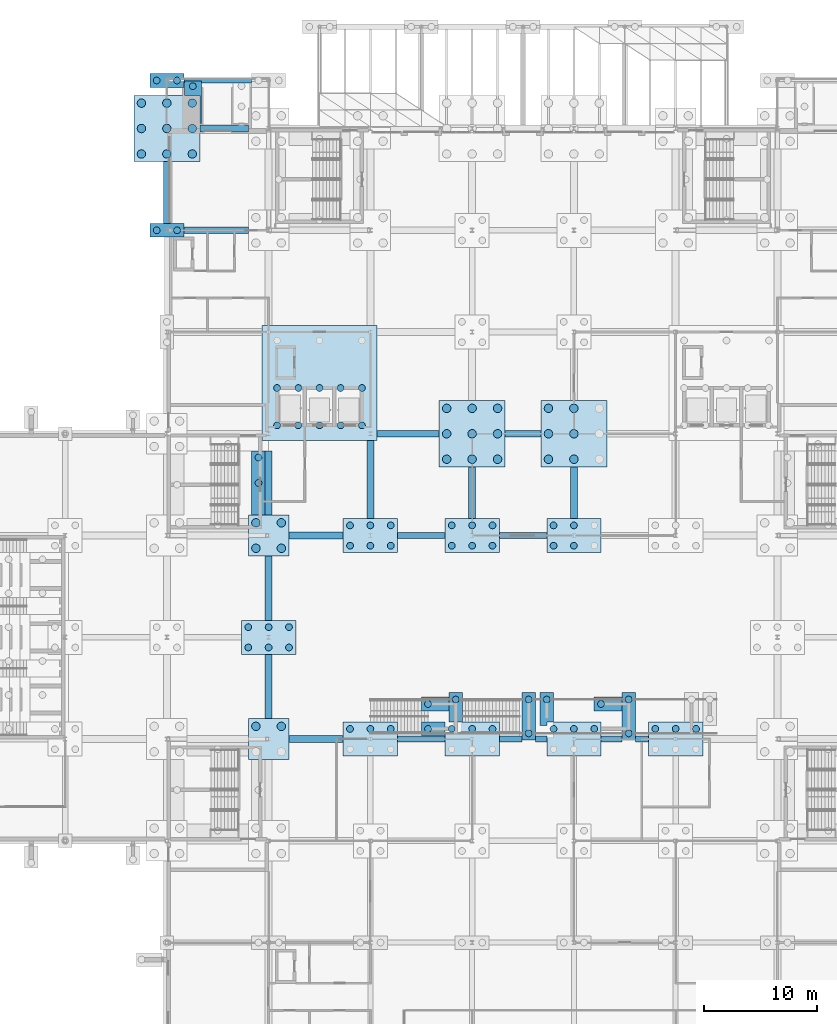
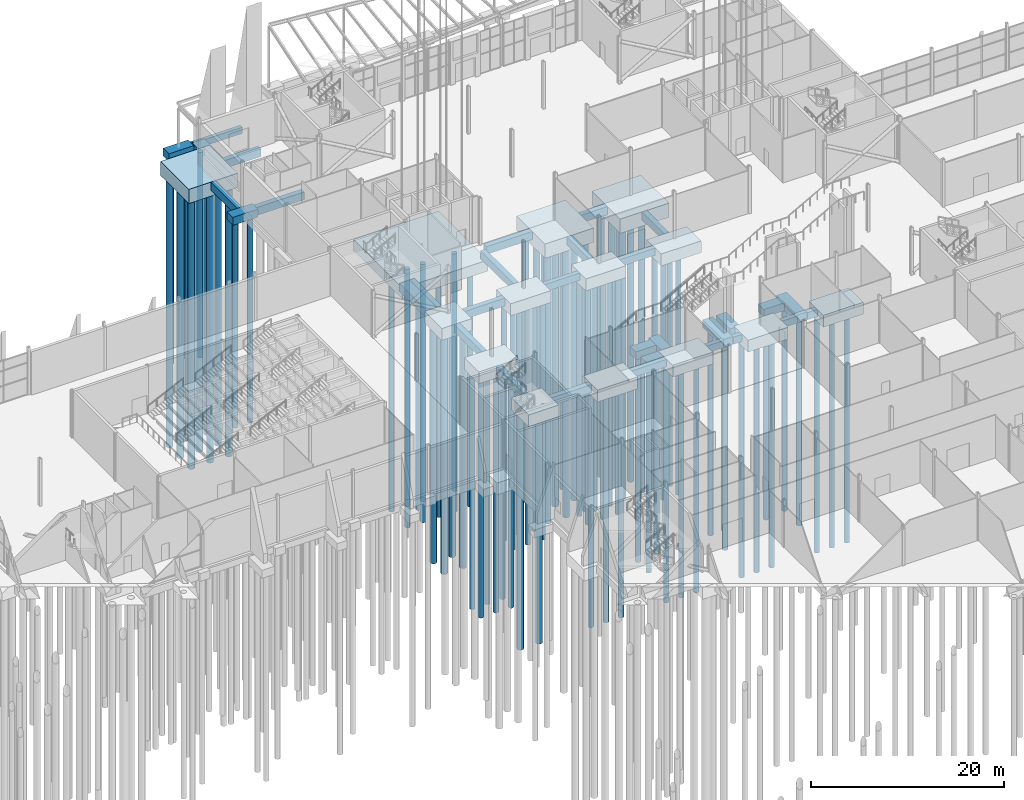
# One storey, part 6 of 139: 90 piles, 46 footings.
"""IFC4 building model written with IfcOpenShell, lengths in metres."""

from ifc_helpers import new_model, si_unit, direction, frame, origin, origin_2d, place, context, subcontext, project, spatial, polyline, rectangle, circle, outline, extrude, material, material_profile, profile_set, type_object, element, save


model = new_model("IFC4")

# Units and contexts
model_context = context("Model", 3, precision=1e-05, world=origin(), true_north=direction((0.0, 1.0)))
body_context = subcontext(model_context, "Body", "Model", "MODEL_VIEW")
ifc_project = project(units=[si_unit("LENGTHUNIT", "METRE"), si_unit("AREAUNIT", "SQUARE_METRE"), si_unit("VOLUMEUNIT", "CUBIC_METRE"), si_unit("PLANEANGLEUNIT", "RADIAN"), si_unit("MASSUNIT", "GRAM", prefix="KILO")], contexts=[model_context])

# Site, building, storey
site_placement = place(None, origin())
site = spatial("IfcSite", under=ifc_project, at=site_placement, CompositionType="ELEMENT")
building_placement = place(site_placement, origin())
building = spatial("IfcBuilding", under=site, at=building_placement, Name="Shorebreak Coast Museum", CompositionType="ELEMENT")
storey_placement = place(building_placement, origin())
storey = spatial("IfcBuildingStorey", under=building, at=storey_placement, Name="L00", CompositionType="ELEMENT", Elevation=0.0)

# Footings
ifc_material_1 = material(Name="Concrete N50 (50 MPa)", Category="concrete")
footing_type_1 = type_object("IfcFootingType", Name="Footing ground beam 450x800", PredefinedType="FOOTING_BEAM", material=ifc_material_1)
footing_1_placement = place(storey_placement, frame((58.5, 121.25, -1.10009765625), z_axis=(0.0, 0.0, 1.0), x_axis=(1.0, 0.0, 0.0)))
element("IfcFooting", 1, at=footing_1_placement, inside=storey, type_object=footing_type_1, Name="Ground beam arcade north 1 to 2", PredefinedType="FOOTING_BEAM", context=body_context, shape_type="SweptSolid", body=[
    extrude(rectangle(XDim=6.0, YDim=0.449951171875, at=origin_2d()), origin(), (0.0, 0.0, 1.0), 0.800048828125),
])
ifc_material_2 = material(Name="Concrete N50 (50 MPa)", Category="concrete")
footing_type_2 = type_object("IfcFootingType", Name="Footing ground beam 500x900", PredefinedType="FOOTING_BEAM", material=ifc_material_2)
footing_2_placement = place(storey_placement, frame((76.5, 63.0, -1.199951171875), z_axis=(0.0, 0.0, 1.0), x_axis=(1.0, 0.0, 0.0)))
element("IfcFooting", 2, at=footing_2_placement, inside=storey, type_object=footing_type_2, Name="Ground beam 9H to 10H", PredefinedType="FOOTING_BEAM", context=body_context, shape_type="SweptSolid", body=[
    extrude(rectangle(XDim=4.199951171875, YDim=0.5, at=origin_2d()), origin(), (0.0, 0.0, 1.0), 0.89990234375),
])
footing_3_placement = place(storey_placement, frame((84.39990234375, 63.0, -1.199951171875), z_axis=(0.0, 0.0, 1.0), x_axis=(1.0, 0.0, 0.0)))
element("IfcFooting", 3, at=footing_3_placement, inside=storey, type_object=footing_type_2, Name="Ground beam 10H to 11H", PredefinedType="FOOTING_BEAM", context=body_context, shape_type="SweptSolid", body=[
    extrude(rectangle(XDim=2.0, YDim=0.5, at=origin_2d()), origin(), (0.0, 0.0, 1.0), 0.89990234375),
])
footing_4_placement = place(storey_placement, frame((87.10009765625, 63.0, -1.199951171875), z_axis=(0.0, 0.0, 1.0), x_axis=(1.0, 0.0, 0.0)))
element("IfcFooting", 4, at=footing_4_placement, inside=storey, type_object=footing_type_2, Name="Ground beam 10H to 11H", PredefinedType="FOOTING_BEAM", context=body_context, shape_type="SweptSolid", body=[
    extrude(rectangle(XDim=1.0, YDim=0.5, at=origin_2d()), origin(), (0.0, 0.0, 1.0), 0.89990234375),
])
footing_5_placement = place(storey_placement, frame((93.324951171875, 63.0, -1.199951171875), z_axis=(0.0, 0.0, 1.0), x_axis=(1.0, 0.0, 0.0)))
element("IfcFooting", 5, at=footing_5_placement, inside=storey, type_object=footing_type_2, Name="Ground beam 11H to 12H", PredefinedType="FOOTING_BEAM", context=body_context, shape_type="SweptSolid", body=[
    extrude(rectangle(XDim=1.85009765625, YDim=0.5, at=origin_2d()), origin(), (0.0, 0.0, 1.0), 0.89990234375),
])
footing_6_placement = place(storey_placement, frame((96.02490234375, 63.0, -1.199951171875), z_axis=(0.0, 0.0, 1.0), x_axis=(1.0, 0.0, 0.0)))
element("IfcFooting", 6, at=footing_6_placement, inside=storey, type_object=footing_type_2, Name="Ground beam 11H to 12H", PredefinedType="FOOTING_BEAM", context=body_context, shape_type="SweptSolid", body=[
    extrude(rectangle(XDim=1.14990234375, YDim=0.5, at=origin_2d()), origin(), (0.0, 0.0, 1.0), 0.89990234375),
])
for number, where, z_axis, x_axis, name in (
    (7, (76.5, 81.0, -1.199951171875), (0.0, 0.0, 1.0), (1.0, 0.0, 0.0), "Ground beam 9K to 10K"),
    (8, (85.5, 81.0, -1.199951171875), (0.0, 0.0, 1.0), (1.0, 0.0, 0.0), "Ground beam 10K to 11K"),
):
    element("IfcFooting", number, at=place(storey_placement, frame(where, z_axis=z_axis, x_axis=x_axis)), inside=storey, type_object=footing_type_2, Name=name, PredefinedType="FOOTING_BEAM", context=body_context, shape_type="SweptSolid", body=[
        extrude(rectangle(XDim=4.199951171875, YDim=0.5, at=origin_2d()), origin(), (0.0, 0.0, 1.0), 0.89990234375),
    ])
ifc_material_3 = material(Name="Concrete N50 (50 MPa)", Category="concrete")
footing_type_3 = type_object("IfcFootingType", Name="Footing ground beam 600x1000", PredefinedType="FOOTING_BEAM", material=ifc_material_3)
footing_7_placement = place(storey_placement, frame((67.199951171875, 63.0, -1.300048828125), z_axis=(0.0, 0.0, 1.0), x_axis=(1.0, 0.0, 0.0)))
element("IfcFooting", 9, at=footing_7_placement, inside=storey, type_object=footing_type_3, Name="Ground beam 8H to 9H", PredefinedType="FOOTING_BEAM", context=body_context, shape_type="SweptSolid", body=[
    extrude(rectangle(XDim=4.800048828125, YDim=0.60009765625, at=origin_2d()), origin(), (0.0, 0.0, 1.0), 1.0),
])
for number, where, z_axis, x_axis, name in (
    (10, (63.0, 67.64990234375, -1.300048828125), (0.0, 0.0, 1.0), (1.0, 0.0, 0.0), "Ground beam 8H to 8J"),
    (11, (63.0, 76.35009765625, -1.300048828125), (0.0, 0.0, 1.0), (1.0, 0.0, 0.0), "Ground beam 8J to 8K"),
):
    element("IfcFooting", number, at=place(storey_placement, frame(where, z_axis=z_axis, x_axis=x_axis)), inside=storey, type_object=footing_type_3, Name=name, PredefinedType="FOOTING_BEAM", context=body_context, shape_type="SweptSolid", body=[
        extrude(rectangle(XDim=0.60009765625, YDim=5.699951171875, at=origin_2d()), origin(), (0.0, 0.0, 1.0), 1.0),
    ])
footing_8_placement = place(storey_placement, frame((67.199951171875, 81.0, -1.300048828125), z_axis=(0.0, 0.0, 1.0), x_axis=(1.0, 0.0, 0.0)))
element("IfcFooting", 12, at=footing_8_placement, inside=storey, type_object=footing_type_3, Name="Ground beam 8K to 9K", PredefinedType="FOOTING_BEAM", context=body_context, shape_type="SweptSolid", body=[
    extrude(rectangle(XDim=4.800048828125, YDim=0.60009765625, at=origin_2d()), origin(), (0.0, 0.0, 1.0), 1.0),
])
footing_9_placement = place(storey_placement, frame((63.0, 85.64990234375, -1.300048828125), z_axis=(0.0, 0.0, 1.0), x_axis=(1.0, 0.0, 0.0)))
element("IfcFooting", 13, at=footing_9_placement, inside=storey, type_object=footing_type_3, Name="Ground beam 8K to 8L", PredefinedType="FOOTING_BEAM", context=body_context, shape_type="SweptSolid", body=[
    extrude(rectangle(XDim=0.60009765625, YDim=5.699951171875, at=origin_2d()), origin(), (0.0, 0.0, 1.0), 1.0),
])
footing_10_placement = place(storey_placement, frame((72.0, 85.949951171875, -1.300048828125), z_axis=(0.0, 0.0, 1.0), x_axis=(1.0, 0.0, 0.0)))
element("IfcFooting", 14, at=footing_10_placement, inside=storey, type_object=footing_type_3, Name="Ground beam 9K to 9L", PredefinedType="FOOTING_BEAM", context=body_context, shape_type="SweptSolid", body=[
    extrude(rectangle(XDim=0.60009765625, YDim=6.89990234375, at=origin_2d()), origin(), (0.0, 0.0, 1.0), 1.0),
])
for number, where, z_axis, x_axis, name in (
    (15, (81.0, 84.78759765625, -1.300048828125), (0.0, 0.0, 1.0), (1.0, 0.0, 0.0), "Ground beam 10K to 10L"),
    (16, (90.0, 84.78759765625, -1.300048828125), (0.0, 0.0, 1.0), (1.0, 0.0, 0.0), "Ground beam 11K to 11L"),
):
    element("IfcFooting", number, at=place(storey_placement, frame(where, z_axis=z_axis, x_axis=x_axis)), inside=storey, type_object=footing_type_3, Name=name, PredefinedType="FOOTING_BEAM", context=body_context, shape_type="SweptSolid", body=[
        extrude(rectangle(XDim=0.60009765625, YDim=4.574951171875, at=origin_2d()), origin(), (0.0, 0.0, 1.0), 1.0),
    ])
footing_11_placement = place(storey_placement, frame((75.33740234375, 90.0, -1.300048828125), z_axis=(0.0, 0.0, 1.0), x_axis=(1.0, 0.0, 0.0)))
element("IfcFooting", 17, at=footing_11_placement, inside=storey, type_object=footing_type_3, Name="Ground beam 9L to 10L", PredefinedType="FOOTING_BEAM", context=body_context, shape_type="SweptSolid", body=[
    extrude(rectangle(XDim=5.47509765625, YDim=0.60009765625, at=origin_2d()), origin(), (0.0, 0.0, 1.0), 1.0),
])
footing_12_placement = place(storey_placement, frame((85.5, 90.0, -1.300048828125), z_axis=(0.0, 0.0, 1.0), x_axis=(1.0, 0.0, 0.0)))
element("IfcFooting", 18, at=footing_12_placement, inside=storey, type_object=footing_type_3, Name="Ground beam 10L to 11L", PredefinedType="FOOTING_BEAM", context=body_context, shape_type="SweptSolid", body=[
    extrude(rectangle(XDim=3.14990234375, YDim=0.60009765625, at=origin_2d()), origin(), (0.0, 0.0, 1.0), 1.0),
])
footing_13_placement = place(storey_placement, frame((58.35009765625, 108.0, -1.300048828125), z_axis=(0.0, 0.0, 1.0), x_axis=(1.0, 0.0, 0.0)))
element("IfcFooting", 19, at=footing_13_placement, inside=storey, type_object=footing_type_3, Name="Ground beam 7N to 8N", PredefinedType="FOOTING_BEAM", context=body_context, shape_type="SweptSolid", body=[
    extrude(rectangle(XDim=5.699951171875, YDim=0.60009765625, at=origin_2d()), origin(), (0.0, 0.0, 1.0), 1.0),
])
footing_14_placement = place(storey_placement, frame((54.0, 111.33740234375, -1.300048828125), z_axis=(0.0, 0.0, 1.0), x_axis=(1.0, 0.0, 0.0)))
element("IfcFooting", 20, at=footing_14_placement, inside=storey, type_object=footing_type_3, Name="Ground beam 7N to 7P", PredefinedType="FOOTING_BEAM", context=body_context, shape_type="SweptSolid", body=[
    extrude(rectangle(XDim=0.60009765625, YDim=5.47509765625, at=origin_2d()), origin(), (0.0, 0.0, 1.0), 1.0),
])
footing_15_placement = place(storey_placement, frame((59.0625, 117.0, -1.300048828125), z_axis=(0.0, 0.0, 1.0), x_axis=(1.0, 0.0, 0.0)))
element("IfcFooting", 21, at=footing_15_placement, inside=storey, type_object=footing_type_3, Name="Ground beam 7P to 8P", PredefinedType="FOOTING_BEAM", context=body_context, shape_type="SweptSolid", body=[
    extrude(rectangle(XDim=4.27490234375, YDim=0.60009765625, at=origin_2d()), origin(), (0.0, 0.0, 1.0), 1.0),
])
ifc_material_4 = material(Name="Concrete N50 (50 MPa)", Category="concrete")
footing_type_4 = type_object("IfcFootingType", Name="Footing pile cap 3000x1200x1000", PredefinedType="PILE_CAP", material=ifc_material_4)
for number, where, z_axis, x_axis, name in (
    (22, (54.0, 108.0, -1.300048828125), (0.0, 0.0, 1.0), (1.0, 0.0, 0.0), "Pile cap 7N"),
    (23, (54.0, 121.25, -1.300048828125), (0.0, 0.0, 1.0), (1.0, 0.0, 0.0), "Pile cap arcade north 1"),
):
    element("IfcFooting", number, at=place(storey_placement, frame(where, z_axis=z_axis, x_axis=x_axis)), inside=storey, type_object=footing_type_4, Name=name, PredefinedType="PILE_CAP", context=body_context, shape_type="SweptSolid", body=[
        extrude(rectangle(XDim=3.0, YDim=1.199951171875, at=origin_2d()), origin(), (0.0, 0.0, 1.0), 1.0),
    ])
ifc_material_5 = material(Name="Concrete N50 (50 MPa)", Category="concrete")
footing_type_5 = type_object("IfcFootingType", Name="Footing pile cap 3600x3600x1500", PredefinedType="PILE_CAP", material=ifc_material_5)
for number, where, z_axis, x_axis, name in (
    (24, (63.0, 63.0, -1.800048828125), (0.0, 0.0, 1.0), (1.0, 0.0, 0.0), "Pile cap 8H"),
    (25, (63.0, 81.0, -1.800048828125), (0.0, 0.0, 1.0), (1.0, 0.0, 0.0), "Pile cap 8K"),
):
    element("IfcFooting", number, at=place(storey_placement, frame(where, z_axis=z_axis, x_axis=x_axis)), inside=storey, type_object=footing_type_5, Name=name, PredefinedType="PILE_CAP", context=body_context, shape_type="SweptSolid", body=[
        extrude(rectangle(XDim=3.60009765625, YDim=3.60009765625, at=origin_2d()), origin(), (0.0, 0.0, 1.0), 1.5),
    ])
ifc_material_6 = material(Name="Concrete N50 (50 MPa)", Category="concrete")
footing_type_6 = type_object("IfcFootingType", Name="Footing pile cap 4800x3000x1500", PredefinedType="PILE_CAP", material=ifc_material_6)
for number, where, z_axis, x_axis, name in (
    (26, (72.0, 63.0, -1.800048828125), (0.0, 0.0, 1.0), (1.0, 0.0, 0.0), "Pile cap 9H"),
    (27, (81.0, 63.0, -1.800048828125), (0.0, 0.0, 1.0), (1.0, 0.0, 0.0), "Pile cap 10H"),
    (28, (90.0, 63.0, -1.800048828125), (0.0, 0.0, 1.0), (1.0, 0.0, 0.0), "Pile cap 11H"),
    (29, (99.0, 63.0, -1.800048828125), (0.0, 0.0, 1.0), (1.0, 0.0, 0.0), "Pile cap 12H"),
    (30, (63.0, 72.0, -1.800048828125), (0.0, 0.0, 1.0), (1.0, 0.0, 0.0), "Pile cap 8J"),
    (31, (72.0, 81.0, -1.800048828125), (0.0, 0.0, 1.0), (1.0, 0.0, 0.0), "Pile cap 9K"),
    (32, (81.0, 81.0, -1.800048828125), (0.0, 0.0, 1.0), (1.0, 0.0, 0.0), "Pile cap 10K"),
    (33, (90.0, 81.0, -1.800048828125), (0.0, 0.0, 1.0), (1.0, 0.0, 0.0), "Pile cap 11K"),
):
    element("IfcFooting", number, at=place(storey_placement, frame(where, z_axis=z_axis, x_axis=x_axis)), inside=storey, type_object=footing_type_6, Name=name, PredefinedType="PILE_CAP", context=body_context, shape_type="SweptSolid", body=[
        extrude(rectangle(XDim=4.800048828125, YDim=3.0, at=origin_2d()), origin(), (0.0, 0.0, 1.0), 1.5),
    ])
ifc_material_7 = material(Name="Concrete N50 (50 MPa)", Category="concrete")
footing_type_7 = type_object("IfcFootingType", Name="Footing pile cap 5850x5850x1800", PredefinedType="PILE_CAP", material=ifc_material_7)
for number, where, z_axis, x_axis, name in (
    (34, (81.0, 90.0, -2.10009765625), (0.0, 0.0, 1.0), (1.0, 0.0, 0.0), "Pile cap 10L"),
    (35, (90.0, 90.0, -2.10009765625), (0.0, 0.0, 1.0), (1.0, 0.0, 0.0), "Pile cap 11L"),
    (36, (54.0, 117.0, -2.10009765625), (0.0, 0.0, 1.0), (1.0, 0.0, 0.0), "Pile cap 7P"),
):
    element("IfcFooting", number, at=place(storey_placement, frame(where, z_axis=z_axis, x_axis=x_axis)), inside=storey, type_object=footing_type_7, Name=name, PredefinedType="PILE_CAP", context=body_context, shape_type="SweptSolid", body=[
        extrude(rectangle(XDim=5.85009765625, YDim=5.85009765625, at=origin_2d()), origin(), (0.0, 0.0, 1.0), 1.800048828125),
    ])
ifc_material_8 = material(Name="Concrete N50 (50 MPa)", Category="concrete")
footing_type_8 = type_object("IfcFootingType", Name="Footing raft 10200x10200x1400", PredefinedType="PILE_CAP", material=ifc_material_8)
footing_16_placement = place(storey_placement, frame((67.5, 94.5, -3.199951171875), z_axis=(0.0, 0.0, 1.0), x_axis=(1.0, 0.0, 0.0)))
element("IfcFooting", 37, at=footing_16_placement, inside=storey, type_object=footing_type_8, Name="Lift shaft raft LBW", PredefinedType="PILE_CAP", context=body_context, shape_type="SweptSolid", body=[
    extrude(rectangle(XDim=10.199951171875, YDim=10.199951171875, at=origin_2d()), origin(), (0.0, 0.0, 1.0), 1.39990234375),
])
ifc_material_9 = material(Name="Concrete N50 (50 MPa)", Category="concrete")
footing_type_9 = type_object("IfcFootingType", Name="Footing strip footing 1200x2600x1000", PredefinedType="STRIP_FOOTING", material=ifc_material_9)
footing_17_placement = place(storey_placement, frame((79.550048828125, 65.800048828125, -1.300048828125), z_axis=(0.0, 0.0, 1.0), x_axis=(1.0, 0.0, 0.0)))
element("IfcFooting", 38, at=footing_17_placement, inside=storey, type_object=footing_type_9, Name="Feature stair support strip footing M1", PredefinedType="STRIP_FOOTING", context=body_context, shape_type="SweptSolid", body=[
    extrude(rectangle(XDim=1.199951171875, YDim=2.60009765625, at=origin_2d()), origin(), (0.0, 0.0, 1.0), 1.0),
])
ifc_material_10 = material(Name="Concrete N50 (50 MPa)", Category="concrete")
footing_type_10 = type_object("IfcFootingType", Name="Footing strip footing 1200x2900x1000 notched", PredefinedType="STRIP_FOOTING", material=ifc_material_10)
footing_18_placement = place(storey_placement, frame((0.0, 0.0, -1.300048828125)))
element("IfcFooting", 39, at=footing_18_placement, inside=storey, type_object=footing_type_10, Name="Feature stair support strip footing LA2", PredefinedType="STRIP_FOOTING", context=body_context, shape_type="SweptSolid", body=[
    extrude(outline(polyline([(87.0, 64.199951171875), (87.0, 67.10009765625), (88.199951171875, 67.10009765625), (88.199951171875, 64.5), (87.60009765625, 64.5), (87.60009765625, 64.199951171875), (87.0, 64.199951171875)])), origin(), (0.0, 0.0, 1.0), 1.0),
])
ifc_material_11 = material(Name="Concrete N50 (50 MPa)", Category="concrete")
footing_type_11 = type_object("IfcFootingType", Name="Footing strip footing 1200x4200x1000", PredefinedType="STRIP_FOOTING", material=ifc_material_11)
for number, where, z_axis, x_axis, name in (
    (40, (94.85009765625, 65.0, -1.300048828125), (0.0, 0.0, 1.0), (1.0, 0.0, 0.0), "Feature stair support strip footing M2"),
    (41, (86.0, 65.0, -1.300048828125), (0.0, 0.0, 1.0), (1.0, 0.0, 0.0), "Feature stair support strip footing LA1"),
):
    element("IfcFooting", number, at=place(storey_placement, frame(where, z_axis=z_axis, x_axis=x_axis)), inside=storey, type_object=footing_type_11, Name=name, PredefinedType="STRIP_FOOTING", context=body_context, shape_type="SweptSolid", body=[
        extrude(rectangle(XDim=1.199951171875, YDim=4.199951171875, at=origin_2d()), origin(), (0.0, 0.0, 1.0), 1.0),
    ])
ifc_material_12 = material(Name="Concrete N50 (50 MPa)", Category="concrete")
footing_type_12 = type_object("IfcFootingType", Name="Footing strip footing 1200x5700x1000", PredefinedType="STRIP_FOOTING", material=ifc_material_12)
footing_19_placement = place(storey_placement, frame((62.10009765625, 85.64990234375, -1.300048828125), z_axis=(0.0, 0.0, 1.0), x_axis=(1.0, 0.0, 0.0)))
element("IfcFooting", 42, at=footing_19_placement, inside=storey, type_object=footing_type_12, Name="Core wall strip footing ST03 east side", PredefinedType="STRIP_FOOTING", context=body_context, shape_type="SweptSolid", body=[
    extrude(rectangle(XDim=1.199951171875, YDim=5.699951171875, at=origin_2d()), origin(), (0.0, 0.0, 1.0), 1.0),
])
ifc_material_13 = material(Name="Concrete N50 (50 MPa)", Category="concrete")
footing_type_13 = type_object("IfcFootingType", Name="Footing strip footing 1500x3750x1000 notched", PredefinedType="STRIP_FOOTING", material=ifc_material_13)
footing_20_placement = place(storey_placement, frame((0.0, 0.0, -1.300048828125)))
element("IfcFooting", 43, at=footing_20_placement, inside=storey, type_object=footing_type_13, Name="Fin pad N29", PredefinedType="STRIP_FOOTING", context=body_context, shape_type="SweptSolid", body=[
    extrude(outline(polyline([(55.550048828125, 121.199951171875), (57.050048828125, 121.199951171875), (57.050048828125, 117.449951171875), (56.925048828125, 117.449951171875), (56.925048828125, 119.925048828125), (55.550048828125, 119.925048828125), (55.550048828125, 121.199951171875)])), origin(), (0.0, 0.0, 1.0), 1.0),
])
ifc_material_14 = material(Name="Concrete N50 (50 MPa)", Category="concrete")
footing_type_14 = type_object("IfcFootingType", Name="Footing strip footing 2100x1200x1000", PredefinedType="STRIP_FOOTING", material=ifc_material_14)
footing_21_placement = place(storey_placement, frame((77.550048828125, 63.89990234375, -1.300048828125), z_axis=(0.0, 0.0, 1.0), x_axis=(1.0, 0.0, 0.0)))
element("IfcFooting", 44, at=footing_21_placement, inside=storey, type_object=footing_type_14, Name="Feature stair support strip footing M1B", PredefinedType="STRIP_FOOTING", context=body_context, shape_type="SweptSolid", body=[
    extrude(rectangle(XDim=2.10009765625, YDim=1.199951171875, at=origin_2d()), origin(), (0.0, 0.0, 1.0), 1.0),
])
ifc_material_15 = material(Name="Concrete N50 (50 MPa)", Category="concrete")
footing_type_15 = type_object("IfcFootingType", Name="Footing strip footing 2450x1200x1000", PredefinedType="STRIP_FOOTING", material=ifc_material_15)
for number, where, z_axis, x_axis, name in (
    (45, (77.72509765625, 66.10009765625, -1.300048828125), (0.0, 0.0, 1.0), (1.0, 0.0, 0.0), "Feature stair support strip footing M1C"),
    (46, (93.02490234375, 66.10009765625, -1.300048828125), (0.0, 0.0, 1.0), (1.0, 0.0, 0.0), "Feature stair support strip footing M2C"),
):
    element("IfcFooting", number, at=place(storey_placement, frame(where, z_axis=z_axis, x_axis=x_axis)), inside=storey, type_object=footing_type_15, Name=name, PredefinedType="STRIP_FOOTING", context=body_context, shape_type="SweptSolid", body=[
        extrude(rectangle(XDim=2.449951171875, YDim=1.199951171875, at=origin_2d()), origin(), (0.0, 0.0, 1.0), 1.0),
    ])

# Piles
ifc_material_16 = material(Name="Concrete N50 (50 MPa)", Category="concrete")
ifc_material_profile_1 = material_profile(ifc_material_16, circle(Radius=0.300048828125, at=origin_2d()), Name="Pile bored 600 length 26")
ifc_profile_set_1 = profile_set([ifc_material_profile_1], Name="Concrete N50 (50 MPa)")
pile_type_1 = type_object("IfcPileType", Name="Pile bored 600 length 26", PredefinedType="BORED", material=ifc_profile_set_1)
for number, where, z_axis, x_axis, name in (
    (47, (53.10009765625, 108.0, -1.300048828125), (0.0, 0.0, -1.0), (1.0, 0.0, 0.0), "Bored pile Pile cap 7N 1"),
    (48, (54.89990234375, 108.0, -1.300048828125), (0.0, 0.0, -1.0), (1.0, 0.0, 0.0), "Bored pile Pile cap 7N 2"),
    (49, (62.10009765625, 85.64990234375, -1.300048828125), (0.0, 0.0, -1.0), (1.0, 0.0, 0.0), "Bored pile Core wall strip footing ST03 east side 1"),
    (50, (62.10009765625, 87.89990234375, -1.300048828125), (0.0, 0.0, -1.0), (1.0, 0.0, 0.0), "Bored pile Core wall strip footing ST03 east side 2"),
    (51, (79.550048828125, 66.5, -1.300048828125), (0.0, 0.0, -1.0), (1.0, 0.0, 0.0), "Bored pile Feature stair support strip footing M1 1"),
    (52, (77.10009765625, 63.89990234375, -1.300048828125), (0.0, 0.0, -1.0), (1.0, 0.0, 0.0), "Bored pile Feature stair support strip footing M1B 1"),
    (53, (77.10009765625, 66.10009765625, -1.300048828125), (0.0, 0.0, -1.0), (1.0, 0.0, 0.0), "Bored pile Feature stair support strip footing M1C 1"),
    (54, (94.85009765625, 63.5, -1.300048828125), (0.0, 0.0, -1.0), (1.0, 0.0, 0.0), "Bored pile Feature stair support strip footing M2 1"),
    (55, (94.85009765625, 66.5, -1.300048828125), (0.0, 0.0, -1.0), (1.0, 0.0, 0.0), "Bored pile Feature stair support strip footing M2 2"),
    (56, (92.39990234375, 66.10009765625, -1.300048828125), (0.0, 0.0, -1.0), (1.0, 0.0, 0.0), "Bored pile Feature stair support strip footing M2C 1"),
    (57, (86.0, 63.5, -1.300048828125), (0.0, 0.0, -1.0), (1.0, 0.0, 0.0), "Bored pile Feature stair support strip footing LA1 1"),
    (58, (86.0, 66.5, -1.300048828125), (0.0, 0.0, -1.0), (1.0, 0.0, 0.0), "Bored pile Feature stair support strip footing LA1 2"),
    (59, (87.60009765625, 66.5, -1.300048828125), (0.0, 0.0, -1.0), (1.0, 0.0, 0.0), "Bored pile Feature stair support strip footing LA2 1"),
    (60, (56.300048828125, 120.75, -1.300048828125), (0.0, 0.0, -1.0), (1.0, 0.0, 0.0), "Bored pile Fin pad N29 1"),
    (61, (53.10009765625, 121.25, -1.300048828125), (0.0, 0.0, -1.0), (1.0, 0.0, 0.0), "Bored pile arcade north 1 1"),
    (62, (54.89990234375, 121.25, -1.300048828125), (0.0, 0.0, -1.0), (1.0, 0.0, 0.0), "Bored pile arcade north 1 2"),
):
    element("IfcPile", number, at=place(storey_placement, frame(where, z_axis=z_axis, x_axis=x_axis)), inside=storey, type_object=pile_type_1, Name=name, PredefinedType="BORED", context=body_context, shape_type="SweptSolid", body=[
        extrude(circle(Radius=0.300048828125, at=origin_2d()), origin(), (0.0, 0.0, 1.0), 26.0),
    ])
ifc_material_17 = material(Name="Concrete N50 (50 MPa)", Category="concrete")
ifc_material_profile_2 = material_profile(ifc_material_17, circle(Radius=0.300048828125, at=origin_2d()), Name="Pile bored 600 length 30")
ifc_profile_set_2 = profile_set([ifc_material_profile_2], Name="Concrete N50 (50 MPa)")
pile_type_2 = type_object("IfcPileType", Name="Pile bored 600 length 30", PredefinedType="BORED", material=ifc_profile_set_2)
for number, where, z_axis, x_axis, name in (
    (63, (63.75, 90.75, -3.199951171875), (0.0, 0.0, -1.0), (1.0, 0.0, 0.0), "Bored pile Lift shaft raft LBW 1"),
    (64, (63.75, 94.050048828125, -3.199951171875), (0.0, 0.0, -1.0), (1.0, 0.0, 0.0), "Bored pile Lift shaft raft LBW 2"),
    (65, (65.625, 90.75, -3.199951171875), (0.0, 0.0, -1.0), (1.0, 0.0, 0.0), "Bored pile Lift shaft raft LBW 3"),
    (66, (65.625, 94.050048828125, -3.199951171875), (0.0, 0.0, -1.0), (1.0, 0.0, 0.0), "Bored pile Lift shaft raft LBW 4"),
    (67, (67.5, 90.75, -3.199951171875), (0.0, 0.0, -1.0), (1.0, 0.0, 0.0), "Bored pile Lift shaft raft LBW 5"),
    (68, (67.5, 94.050048828125, -3.199951171875), (0.0, 0.0, -1.0), (1.0, 0.0, 0.0), "Bored pile Lift shaft raft LBW 6"),
    (69, (69.375, 90.75, -3.199951171875), (0.0, 0.0, -1.0), (1.0, 0.0, 0.0), "Bored pile Lift shaft raft LBW 7"),
    (70, (69.375, 94.050048828125, -3.199951171875), (0.0, 0.0, -1.0), (1.0, 0.0, 0.0), "Bored pile Lift shaft raft LBW 8"),
    (71, (71.25, 90.75, -3.199951171875), (0.0, 0.0, -1.0), (1.0, 0.0, 0.0), "Bored pile Lift shaft raft LBW 9"),
    (72, (71.25, 94.050048828125, -3.199951171875), (0.0, 0.0, -1.0), (1.0, 0.0, 0.0), "Bored pile Lift shaft raft LBW 10"),
    (73, (70.199951171875, 63.89990234375, -1.800048828125), (0.0, 0.0, -1.0), (1.0, 0.0, 0.0), "Bored pile Pile cap 9H 4"),
    (74, (72.0, 63.89990234375, -1.800048828125), (0.0, 0.0, -1.0), (1.0, 0.0, 0.0), "Bored pile Pile cap 9H 5"),
    (75, (73.800048828125, 63.89990234375, -1.800048828125), (0.0, 0.0, -1.0), (1.0, 0.0, 0.0), "Bored pile Pile cap 9H 6"),
    (76, (79.199951171875, 63.89990234375, -1.800048828125), (0.0, 0.0, -1.0), (1.0, 0.0, 0.0), "Bored pile Pile cap 10H 4"),
    (77, (81.0, 63.89990234375, -1.800048828125), (0.0, 0.0, -1.0), (1.0, 0.0, 0.0), "Bored pile Pile cap 10H 5"),
    (78, (82.800048828125, 63.89990234375, -1.800048828125), (0.0, 0.0, -1.0), (1.0, 0.0, 0.0), "Bored pile Pile cap 10H 6"),
    (79, (88.199951171875, 63.89990234375, -1.800048828125), (0.0, 0.0, -1.0), (1.0, 0.0, 0.0), "Bored pile Pile cap 11H 4"),
    (80, (90.0, 63.89990234375, -1.800048828125), (0.0, 0.0, -1.0), (1.0, 0.0, 0.0), "Bored pile Pile cap 11H 5"),
    (81, (91.800048828125, 63.89990234375, -1.800048828125), (0.0, 0.0, -1.0), (1.0, 0.0, 0.0), "Bored pile Pile cap 11H 6"),
    (82, (97.199951171875, 63.89990234375, -1.800048828125), (0.0, 0.0, -1.0), (1.0, 0.0, 0.0), "Bored pile Pile cap 12H 4"),
    (83, (99.0, 63.89990234375, -1.800048828125), (0.0, 0.0, -1.0), (1.0, 0.0, 0.0), "Bored pile Pile cap 12H 5"),
    (84, (100.800048828125, 63.89990234375, -1.800048828125), (0.0, 0.0, -1.0), (1.0, 0.0, 0.0), "Bored pile Pile cap 12H 6"),
    (85, (61.199951171875, 71.10009765625, -1.800048828125), (0.0, 0.0, -1.0), (1.0, 0.0, 0.0), "Bored pile Pile cap 8J 1"),
    (86, (63.0, 71.10009765625, -1.800048828125), (0.0, 0.0, -1.0), (1.0, 0.0, 0.0), "Bored pile Pile cap 8J 2"),
    (87, (64.800048828125, 71.10009765625, -1.800048828125), (0.0, 0.0, -1.0), (1.0, 0.0, 0.0), "Bored pile Pile cap 8J 3"),
    (88, (61.199951171875, 72.89990234375, -1.800048828125), (0.0, 0.0, -1.0), (1.0, 0.0, 0.0), "Bored pile Pile cap 8J 4"),
    (89, (63.0, 72.89990234375, -1.800048828125), (0.0, 0.0, -1.0), (1.0, 0.0, 0.0), "Bored pile Pile cap 8J 5"),
    (90, (64.800048828125, 72.89990234375, -1.800048828125), (0.0, 0.0, -1.0), (1.0, 0.0, 0.0), "Bored pile Pile cap 8J 6"),
    (91, (70.199951171875, 80.10009765625, -1.800048828125), (0.0, 0.0, -1.0), (1.0, 0.0, 0.0), "Bored pile Pile cap 9K 1"),
    (92, (72.0, 80.10009765625, -1.800048828125), (0.0, 0.0, -1.0), (1.0, 0.0, 0.0), "Bored pile Pile cap 9K 2"),
    (93, (73.800048828125, 80.10009765625, -1.800048828125), (0.0, 0.0, -1.0), (1.0, 0.0, 0.0), "Bored pile Pile cap 9K 3"),
    (94, (70.199951171875, 81.89990234375, -1.800048828125), (0.0, 0.0, -1.0), (1.0, 0.0, 0.0), "Bored pile Pile cap 9K 4"),
    (95, (72.0, 81.89990234375, -1.800048828125), (0.0, 0.0, -1.0), (1.0, 0.0, 0.0), "Bored pile Pile cap 9K 5"),
    (96, (73.800048828125, 81.89990234375, -1.800048828125), (0.0, 0.0, -1.0), (1.0, 0.0, 0.0), "Bored pile Pile cap 9K 6"),
    (97, (79.199951171875, 80.10009765625, -1.800048828125), (0.0, 0.0, -1.0), (1.0, 0.0, 0.0), "Bored pile Pile cap 10K 1"),
    (98, (81.0, 80.10009765625, -1.800048828125), (0.0, 0.0, -1.0), (1.0, 0.0, 0.0), "Bored pile Pile cap 10K 2"),
    (99, (82.800048828125, 80.10009765625, -1.800048828125), (0.0, 0.0, -1.0), (1.0, 0.0, 0.0), "Bored pile Pile cap 10K 3"),
    (100, (79.199951171875, 81.89990234375, -1.800048828125), (0.0, 0.0, -1.0), (1.0, 0.0, 0.0), "Bored pile Pile cap 10K 4"),
    (101, (81.0, 81.89990234375, -1.800048828125), (0.0, 0.0, -1.0), (1.0, 0.0, 0.0), "Bored pile Pile cap 10K 5"),
    (102, (82.800048828125, 81.89990234375, -1.800048828125), (0.0, 0.0, -1.0), (1.0, 0.0, 0.0), "Bored pile Pile cap 10K 6"),
    (103, (88.199951171875, 80.10009765625, -1.800048828125), (0.0, 0.0, -1.0), (1.0, 0.0, 0.0), "Bored pile Pile cap 11K 1"),
    (104, (90.0, 80.10009765625, -1.800048828125), (0.0, 0.0, -1.0), (1.0, 0.0, 0.0), "Bored pile Pile cap 11K 2"),
    (105, (88.199951171875, 81.89990234375, -1.800048828125), (0.0, 0.0, -1.0), (1.0, 0.0, 0.0), "Bored pile Pile cap 11K 4"),
    (106, (90.0, 81.89990234375, -1.800048828125), (0.0, 0.0, -1.0), (1.0, 0.0, 0.0), "Bored pile Pile cap 11K 5"),
):
    element("IfcPile", number, at=place(storey_placement, frame(where, z_axis=z_axis, x_axis=x_axis)), inside=storey, type_object=pile_type_2, Name=name, PredefinedType="BORED", context=body_context, shape_type="SweptSolid", body=[
        extrude(circle(Radius=0.300048828125, at=origin_2d()), origin(), (0.0, 0.0, 1.0), 30.0),
    ])
ifc_material_18 = material(Name="Concrete N50 (50 MPa)", Category="concrete")
ifc_material_profile_3 = material_profile(ifc_material_18, circle(Radius=0.375, at=origin_2d()), Name="Pile bored 750 length 30")
ifc_profile_set_3 = profile_set([ifc_material_profile_3], Name="Concrete N50 (50 MPa)")
pile_type_3 = type_object("IfcPileType", Name="Pile bored 750 length 30", PredefinedType="BORED", material=ifc_profile_set_3)
for number, where, z_axis, x_axis, name in (
    (107, (61.875, 64.125, -1.800048828125), (0.0, 0.0, -1.0), (1.0, 0.0, 0.0), "Bored pile Pile cap 8H 3"),
    (108, (64.125, 64.125, -1.800048828125), (0.0, 0.0, -1.0), (1.0, 0.0, 0.0), "Bored pile Pile cap 8H 4"),
    (109, (61.875, 79.875, -1.800048828125), (0.0, 0.0, -1.0), (1.0, 0.0, 0.0), "Bored pile Pile cap 8K 1"),
    (110, (64.125, 79.875, -1.800048828125), (0.0, 0.0, -1.0), (1.0, 0.0, 0.0), "Bored pile Pile cap 8K 2"),
    (111, (61.875, 82.125, -1.800048828125), (0.0, 0.0, -1.0), (1.0, 0.0, 0.0), "Bored pile Pile cap 8K 3"),
    (112, (64.125, 82.125, -1.800048828125), (0.0, 0.0, -1.0), (1.0, 0.0, 0.0), "Bored pile Pile cap 8K 4"),
):
    element("IfcPile", number, at=place(storey_placement, frame(where, z_axis=z_axis, x_axis=x_axis)), inside=storey, type_object=pile_type_3, Name=name, PredefinedType="BORED", context=body_context, shape_type="SweptSolid", body=[
        extrude(circle(Radius=0.375, at=origin_2d()), origin(), (0.0, 0.0, 1.0), 30.0),
    ])
ifc_material_19 = material(Name="Concrete N50 (50 MPa)", Category="concrete")
ifc_material_profile_4 = material_profile(ifc_material_19, circle(Radius=0.375, at=origin_2d()), Name="Pile bored 750 length 34")
ifc_profile_set_4 = profile_set([ifc_material_profile_4], Name="Concrete N50 (50 MPa)")
pile_type_4 = type_object("IfcPileType", Name="Pile bored 750 length 34", PredefinedType="BORED", material=ifc_profile_set_4)
for number, where, z_axis, x_axis, name in (
    (113, (78.75, 87.75, -2.10009765625), (0.0, 0.0, -1.0), (1.0, 0.0, 0.0), "Bored pile Pile cap 10L 1"),
    (114, (81.0, 87.75, -2.10009765625), (0.0, 0.0, -1.0), (1.0, 0.0, 0.0), "Bored pile Pile cap 10L 2"),
    (115, (83.25, 87.75, -2.10009765625), (0.0, 0.0, -1.0), (1.0, 0.0, 0.0), "Bored pile Pile cap 10L 3"),
    (116, (78.75, 90.0, -2.10009765625), (0.0, 0.0, -1.0), (1.0, 0.0, 0.0), "Bored pile Pile cap 10L 4"),
    (117, (81.0, 90.0, -2.10009765625), (0.0, 0.0, -1.0), (1.0, 0.0, 0.0), "Bored pile Pile cap 10L 5"),
    (118, (83.25, 90.0, -2.10009765625), (0.0, 0.0, -1.0), (1.0, 0.0, 0.0), "Bored pile Pile cap 10L 6"),
    (119, (78.75, 92.25, -2.10009765625), (0.0, 0.0, -1.0), (1.0, 0.0, 0.0), "Bored pile Pile cap 10L 7"),
    (120, (81.0, 92.25, -2.10009765625), (0.0, 0.0, -1.0), (1.0, 0.0, 0.0), "Bored pile Pile cap 10L 8"),
    (121, (83.25, 92.25, -2.10009765625), (0.0, 0.0, -1.0), (1.0, 0.0, 0.0), "Bored pile Pile cap 10L 9"),
    (122, (87.75, 87.75, -2.10009765625), (0.0, 0.0, -1.0), (1.0, 0.0, 0.0), "Bored pile Pile cap 11L 1"),
    (123, (90.0, 87.75, -2.10009765625), (0.0, 0.0, -1.0), (1.0, 0.0, 0.0), "Bored pile Pile cap 11L 2"),
    (124, (87.75, 90.0, -2.10009765625), (0.0, 0.0, -1.0), (1.0, 0.0, 0.0), "Bored pile Pile cap 11L 4"),
    (125, (90.0, 90.0, -2.10009765625), (0.0, 0.0, -1.0), (1.0, 0.0, 0.0), "Bored pile Pile cap 11L 5"),
    (126, (87.75, 92.25, -2.10009765625), (0.0, 0.0, -1.0), (1.0, 0.0, 0.0), "Bored pile Pile cap 11L 7"),
    (127, (90.0, 92.25, -2.10009765625), (0.0, 0.0, -1.0), (1.0, 0.0, 0.0), "Bored pile Pile cap 11L 8"),
    (128, (51.75, 114.75, -2.10009765625), (0.0, 0.0, -1.0), (1.0, 0.0, 0.0), "Bored pile Pile cap 7P 1"),
    (129, (54.0, 114.75, -2.10009765625), (0.0, 0.0, -1.0), (1.0, 0.0, 0.0), "Bored pile Pile cap 7P 2"),
    (130, (56.25, 114.75, -2.10009765625), (0.0, 0.0, -1.0), (1.0, 0.0, 0.0), "Bored pile Pile cap 7P 3"),
    (131, (51.75, 117.0, -2.10009765625), (0.0, 0.0, -1.0), (1.0, 0.0, 0.0), "Bored pile Pile cap 7P 4"),
    (132, (54.0, 117.0, -2.10009765625), (0.0, 0.0, -1.0), (1.0, 0.0, 0.0), "Bored pile Pile cap 7P 5"),
    (133, (56.25, 117.0, -2.10009765625), (0.0, 0.0, -1.0), (1.0, 0.0, 0.0), "Bored pile Pile cap 7P 6"),
    (134, (51.75, 119.25, -2.10009765625), (0.0, 0.0, -1.0), (1.0, 0.0, 0.0), "Bored pile Pile cap 7P 7"),
    (135, (54.0, 119.25, -2.10009765625), (0.0, 0.0, -1.0), (1.0, 0.0, 0.0), "Bored pile Pile cap 7P 8"),
    (136, (56.25, 119.25, -2.10009765625), (0.0, 0.0, -1.0), (1.0, 0.0, 0.0), "Bored pile Pile cap 7P 9"),
):
    element("IfcPile", number, at=place(storey_placement, frame(where, z_axis=z_axis, x_axis=x_axis)), inside=storey, type_object=pile_type_4, Name=name, PredefinedType="BORED", context=body_context, shape_type="SweptSolid", body=[
        extrude(circle(Radius=0.375, at=origin_2d()), origin(), (0.0, 0.0, 1.0), 34.0),
    ])

save(model, "model.ifc")
